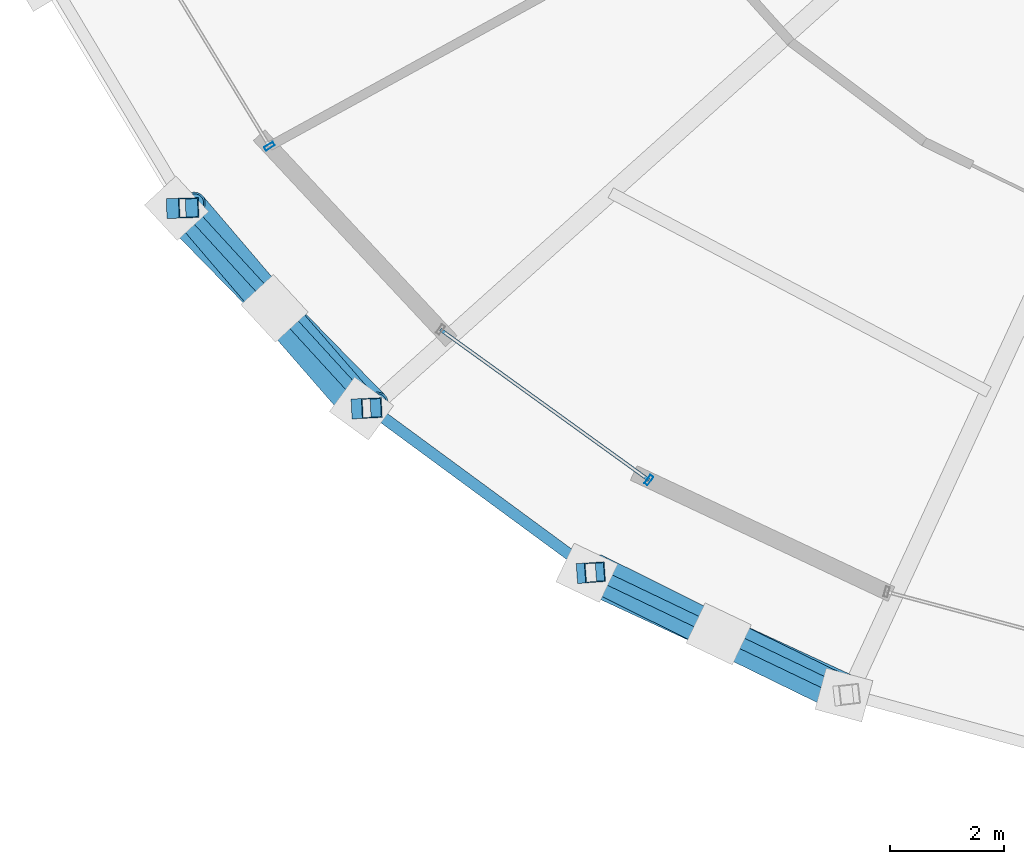
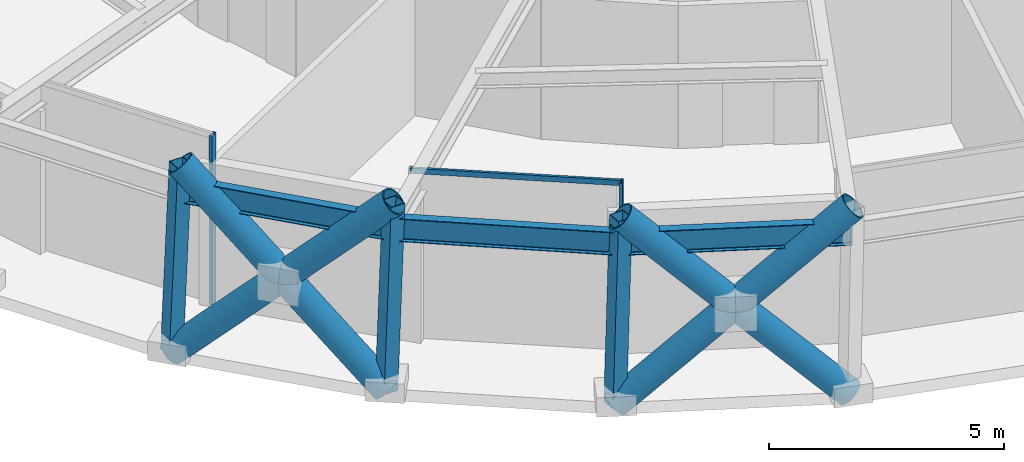
# One storey, part 1 of 29: 12 members, 3 beams, 2 elements without a shape of their own.
"""IFC4 building model written with IfcOpenShell, lengths in metres."""

from ifc_helpers import new_model, si_unit, direction, frame, origin, origin_2d, place, context, subcontext, project, spatial, hollow_rectangle, hollow_circle, i_section, extrude, material, layer, layer_set, material_profile, profile_set, type_object, element, aggregate, save


model = new_model("IFC4")

# Units and contexts
model_context = context("Model", 3, precision=1e-05, world=origin(), true_north=direction((0.0, 1.0)))
body_context = subcontext(model_context, "Body", "Model", "MODEL_VIEW")
ifc_project = project(units=[si_unit("LENGTHUNIT", "METRE"), si_unit("AREAUNIT", "SQUARE_METRE"), si_unit("VOLUMEUNIT", "CUBIC_METRE"), si_unit("PLANEANGLEUNIT", "RADIAN"), si_unit("MASSUNIT", "GRAM", prefix="KILO")], contexts=[model_context])

# Site, building, storey
site_placement = place(None, origin())
site = spatial("IfcSite", under=ifc_project, at=site_placement, CompositionType="ELEMENT")
building_placement = place(site_placement, origin())
building = spatial("IfcBuilding", under=site, at=building_placement, Name="Veldorina Hangang Commons", CompositionType="ELEMENT")
storey_placement = place(building_placement, frame((0.0, 0.0, 203.60009765625)))
storey = spatial("IfcBuildingStorey", under=building, at=storey_placement, Name="L53", CompositionType="ELEMENT", Elevation=203.60009765625)

# Beams
ifc_material_1 = material(Name="Steel SM420-TMC", Category="steel")
ifc_material_profile_1 = material_profile(ifc_material_1, i_section(OverallWidth=0.199951171875, OverallDepth=0.60009765625, WebThickness=0.010986328125, FlangeThickness=0.01708984375, FilletRadius=0.01806640625, at=origin_2d()), Name="H-600x200x11x17")
ifc_profile_set_1 = profile_set([ifc_material_profile_1], Name="Steel SM420-TMC")
beam_type = type_object("IfcBeamType", Name="BM-RB600", PredefinedType="BEAM", material=ifc_profile_set_1)
beam_1_placement = place(storey_placement, frame((10.477783203125, 11.114990234375, 4.139892578125), z_axis=(0.675436950643, -0.737417741654, 0.0), x_axis=(0.737417741654, 0.675436950643, 0.0)))
element("IfcBeam", 1, at=beam_1_placement, inside=storey, type_object=beam_type, Name="L53 perimeter hoop ring beam 19", PredefinedType="BEAM", context=body_context, shape_type="SweptSolid", body=[
    extrude(i_section(OverallWidth=0.199951171875, OverallDepth=0.60009765625, WebThickness=0.010986328125, FlangeThickness=0.01708984375, FilletRadius=0.01806640625, at=origin_2d()), origin(), (0.0, 0.0, 1.0), 4.76611328125),
])
beam_2_placement = place(storey_placement, frame((13.697021484375, 7.600341796875, 4.139892578125), z_axis=(0.805632711099, -0.592415339781, 0.0), x_axis=(0.592415339781, 0.805632711099, 0.0)))
element("IfcBeam", 2, at=beam_2_placement, inside=storey, type_object=beam_type, Name="L53 perimeter hoop ring beam 20", PredefinedType="BEAM", context=body_context, shape_type="SweptSolid", body=[
    extrude(i_section(OverallWidth=0.199951171875, OverallDepth=0.60009765625, WebThickness=0.010986328125, FlangeThickness=0.01708984375, FilletRadius=0.01806640625, at=origin_2d()), origin(), (0.0, 0.0, 1.0), 4.86865234375),
])
beam_3_placement = place(storey_placement, frame((17.619384765625, 4.716064453125, 4.139892578125), z_axis=(0.901914275, -0.431915084885, 0.0), x_axis=(0.431915084885, 0.901914275, 0.0)))
element("IfcBeam", 3, at=beam_3_placement, inside=storey, type_object=beam_type, Name="L53 perimeter hoop ring beam 21", PredefinedType="BEAM", context=body_context, shape_type="SweptSolid", body=[
    extrude(i_section(OverallWidth=0.199951171875, OverallDepth=0.60009765625, WebThickness=0.010986328125, FlangeThickness=0.01708984375, FilletRadius=0.01806640625, at=origin_2d()), origin(), (0.0, 0.0, 1.0), 4.961669921875),
])

# Curtain wall, member
ifc_material_2 = material(Name="Glass Acoustic Laminated", Category="glass")
ifc_layer = layer(ifc_material_2, 0.179931640625)
ifc_layer_set = layer_set([ifc_layer], Name="Glass Acoustic Laminated")
curtain_wall_type = type_object("IfcCurtainWallType", Name="CW-SYS-SKY", PredefinedType="NOTDEFINED", material=ifc_layer_set)
curtain_wall_1_placement = place(storey_placement, origin())
curtain_wall_1 = element("IfcCurtainWall", 4, at=curtain_wall_1_placement, inside=storey, type_object=curtain_wall_type, Name="L53 unitised curtain wall CW-L53-R8", PredefinedType="NOTDEFINED")
ifc_material_3 = material(Name="Aluminium Anodized AA6063-T6", Category="aluminium")
ifc_material_profile_2 = material_profile(ifc_material_3, hollow_rectangle(XDim=0.070068359375, YDim=0.179931640625, WallThickness=0.00390625, at=origin_2d()), Name="ALU-RHS-180x70x4")
ifc_profile_set_2 = profile_set([ifc_material_profile_2], Name="Aluminium Anodized AA6063-T6")
member_type_1 = type_object("IfcMemberType", Name="CW-MUL-180", PredefinedType="MULLION", material=ifc_profile_set_2)
member_1_placement = place(storey_placement, frame((11.92333984375, 12.197998046875, 0.0), z_axis=(0.0, 0.0, 1.0), x_axis=(-0.519235734041, 0.85463106221, 0.0)))
member_1 = element("IfcMember", 5, at=member_1_placement, type_object=member_type_1, Name="CW-L53-R8 vertical mullion 2", PredefinedType="MULLION", context=body_context, shape_type="SweptSolid", body=[
    extrude(hollow_rectangle(XDim=0.070068359375, YDim=0.179931640625, WallThickness=0.00390625, at=origin_2d()), origin(), (0.0, 0.0, 1.0), 4.39990234375),
])
aggregate(curtain_wall_1, [member_1])

# Curtain wall, members
curtain_wall_2_placement = place(storey_placement, origin())
curtain_wall_2 = element("IfcCurtainWall", 6, at=curtain_wall_2_placement, inside=storey, type_object=curtain_wall_type, Name="L53 unitised curtain wall CW-L53-R9", PredefinedType="NOTDEFINED")
member_2_placement = place(storey_placement, frame((18.585205078125, 6.337158203125, 0.0), z_axis=(0.0, 0.0, 1.0), x_axis=(-0.810767641427, 0.58536811633, 0.0)))
member_2 = element("IfcMember", 7, at=member_2_placement, type_object=member_type_1, Name="CW-L53-R9 vertical mullion 2", PredefinedType="MULLION", context=body_context, shape_type="SweptSolid", body=[
    extrude(hollow_rectangle(XDim=0.070068359375, YDim=0.179931640625, WallThickness=0.00390625, at=origin_2d()), origin(), (0.0, 0.0, 1.0), 4.39990234375),
])
ifc_material_profile_3 = material_profile(ifc_material_3, hollow_rectangle(XDim=0.06005859375, YDim=0.139892578125, WallThickness=0.00341796875, at=origin_2d()), Name="ALU-RHS-140x60x3.5")
ifc_profile_set_3 = profile_set([ifc_material_profile_3], Name="Aluminium Anodized AA6063-T6")
member_type_2 = type_object("IfcMemberType", Name="CW-TRN-140", PredefinedType="USERDEFINED", material=ifc_profile_set_3)
member_3_placement = place(storey_placement, frame((14.926025390625, 8.97900390625, 4.35986328125), z_axis=(0.81077336268, -0.585360191991, 0.0), x_axis=(0.585360191991, 0.81077336268, 0.0)))
member_3 = element("IfcMember", 8, at=member_3_placement, type_object=member_type_2, Name="CW-L53-R9 facet 1 transom 1", ObjectType="TRANSOM", PredefinedType="USERDEFINED", context=body_context, shape_type="SweptSolid", body=[
    extrude(hollow_rectangle(XDim=0.06005859375, YDim=0.139892578125, WallThickness=0.00341796875, at=origin_2d()), origin(), (0.0, 0.0, 1.0), 4.51318359375),
])
aggregate(curtain_wall_2, [member_2, member_3])

# Members
ifc_material_4 = material(Name="Steel SM460-TMC", Category="steel")
ifc_material_profile_4 = material_profile(ifc_material_4, hollow_circle(Radius=0.324951171875, WallThickness=0.031982421875, at=origin_2d()), Name="CHS-650x32")
ifc_profile_set_4 = profile_set([ifc_material_profile_4], Name="Steel SM460-TMC")
member_type_3 = type_object("IfcMemberType", Name="DG-CHS650", PredefinedType="BRACE", material=ifc_profile_set_4)
member_4_placement = place(storey_placement, frame((10.293701171875, 11.109130859375, 0.0), z_axis=(0.499559041775, -0.511121261442, 0.699425349757), x_axis=(0.715149312798, 0.698971716455, 0.0)))
element("IfcMember", 9, at=member_4_placement, inside=storey, type_object=member_type_3, Name="L53 continuous perimeter diagrid brace 19", PredefinedType="BRACE", context=body_context, shape_type="SweptSolid", body=[
    extrude(hollow_circle(Radius=0.324951171875, WallThickness=0.031982421875, at=origin_2d()), origin(), (0.0, 0.0, 1.0), 6.862548828125),
])
member_5_placement = place(storey_placement, frame((13.540283203125, 7.593017578125, 0.0), z_axis=(-0.456383500374, 0.524986834855, 0.71840303717), x_axis=(-0.754695766307, -0.656074919745, 0.0)))
element("IfcMember", 10, at=member_5_placement, inside=storey, type_object=member_type_3, Name="L53 split perimeter diagrid lower brace 20", PredefinedType="BRACE", context=body_context, shape_type="SweptSolid", body=[
    extrude(hollow_circle(Radius=0.324951171875, WallThickness=0.031982421875, at=origin_2d()), origin(), (0.0, 0.0, 1.0), 3.348876953125),
])
member_6_placement = place(storey_placement, frame((12.011962890625, 9.35107421875, 2.40576171875), z_axis=(-0.451485424929, 0.529418665054, 0.718245632196), x_axis=(-0.760888982527, -0.648882081945, 0.0)))
element("IfcMember", 11, at=member_6_placement, inside=storey, type_object=member_type_3, Name="L53 split perimeter diagrid upper brace 20", PredefinedType="BRACE", context=body_context, shape_type="SweptSolid", body=[
    extrude(hollow_circle(Radius=0.324951171875, WallThickness=0.031982421875, at=origin_2d()), origin(), (0.0, 0.0, 1.0), 3.333251953125),
])
member_7_placement = place(storey_placement, frame((17.49609375, 4.70751953125, 0.0), z_axis=(0.659795012944, -0.305168291588, 0.686689780544), x_axis=(0.419792349189, 0.907620175824, 0.0)))
element("IfcMember", 12, at=member_7_placement, inside=storey, type_object=member_type_3, Name="L53 continuous perimeter diagrid brace 21", PredefinedType="BRACE", context=body_context, shape_type="SweptSolid", body=[
    extrude(hollow_circle(Radius=0.324951171875, WallThickness=0.031982421875, at=origin_2d()), origin(), (0.0, 0.0, 1.0), 6.98974609375),
])
member_8_placement = place(storey_placement, frame((22.009521484375, 2.563232421875, 0.0), z_axis=(-0.640145651545, 0.312571396667, 0.701792467039), x_axis=(-0.438769700942, -0.89859954904, 0.0)))
element("IfcMember", 13, at=member_8_placement, inside=storey, type_object=member_type_3, Name="L53 split perimeter diagrid lower brace 22", PredefinedType="BRACE", context=body_context, shape_type="SweptSolid", body=[
    extrude(hollow_circle(Radius=0.324951171875, WallThickness=0.031982421875, at=origin_2d()), origin(), (0.0, 0.0, 1.0), 3.43359375),
])
member_9_placement = place(storey_placement, frame((19.8115234375, 3.636474609375, 2.40966796875), z_axis=(-0.637853981657, 0.317385934462, 0.701718224567), x_axis=(-0.445482339348, -0.895290726708, 0.0)))
element("IfcMember", 14, at=member_9_placement, inside=storey, type_object=member_type_3, Name="L53 split perimeter diagrid upper brace 22", PredefinedType="BRACE", context=body_context, shape_type="SweptSolid", body=[
    extrude(hollow_circle(Radius=0.324951171875, WallThickness=0.031982421875, at=origin_2d()), origin(), (0.0, 0.0, 1.0), 3.406005859375),
])
ifc_material_5 = material(Name="Steel SM355-TMC", Category="steel")
ifc_material_profile_5 = material_profile(ifc_material_5, hollow_rectangle(XDim=0.35009765625, YDim=0.35009765625, WallThickness=0.01611328125, at=origin_2d()), Name="SHS-350x350x16")
ifc_profile_set_5 = profile_set([ifc_material_profile_5], Name="Steel SM355-TMC")
member_type_4 = type_object("IfcMemberType", Name="STR-SHS350", PredefinedType="STRUT", material=ifc_profile_set_5)
member_10_placement = place(storey_placement, frame((10.293701171875, 11.109130859375, 0.0), z_axis=(0.044411841671, 0.001371990532, 0.99901236527), x_axis=(-0.030877718053, 0.99952316958, 0.0)))
element("IfcMember", 15, at=member_10_placement, inside=storey, type_object=member_type_4, Name="L53 perimeter ring node post 19", PredefinedType="STRUT", context=body_context, shape_type="SweptSolid", body=[
    extrude(hollow_rectangle(XDim=0.35009765625, YDim=0.35009765625, WallThickness=0.01611328125, at=origin_2d()), origin(), (0.0, 0.0, 1.0), 4.804443359375),
])
member_11_placement = place(storey_placement, frame((13.540283203125, 7.593017578125, 0.0), z_axis=(0.03781620789, 0.001778988274, 0.999283127858), x_axis=(-0.046991042846, 0.998895310777, 0.0)))
element("IfcMember", 16, at=member_11_placement, inside=storey, type_object=member_type_4, Name="L53 perimeter ring node post 20", PredefinedType="STRUT", context=body_context, shape_type="SweptSolid", body=[
    extrude(hollow_rectangle(XDim=0.35009765625, YDim=0.35009765625, WallThickness=0.01611328125, at=origin_2d()), origin(), (0.0, 0.0, 1.0), 4.80322265625),
])
member_12_placement = place(storey_placement, frame((17.49609375, 4.70751953125, 0.0), z_axis=(0.02974262049, 0.002084525539, 0.999555416813), x_axis=(-0.069913972648, 0.997553024369, 0.0)))
element("IfcMember", 17, at=member_12_placement, inside=storey, type_object=member_type_4, Name="L53 perimeter ring node post 21", PredefinedType="STRUT", context=body_context, shape_type="SweptSolid", body=[
    extrude(hollow_rectangle(XDim=0.35009765625, YDim=0.35009765625, WallThickness=0.01611328125, at=origin_2d()), origin(), (0.0, 0.0, 1.0), 4.802001953125),
])

save(model, "model.ifc")
